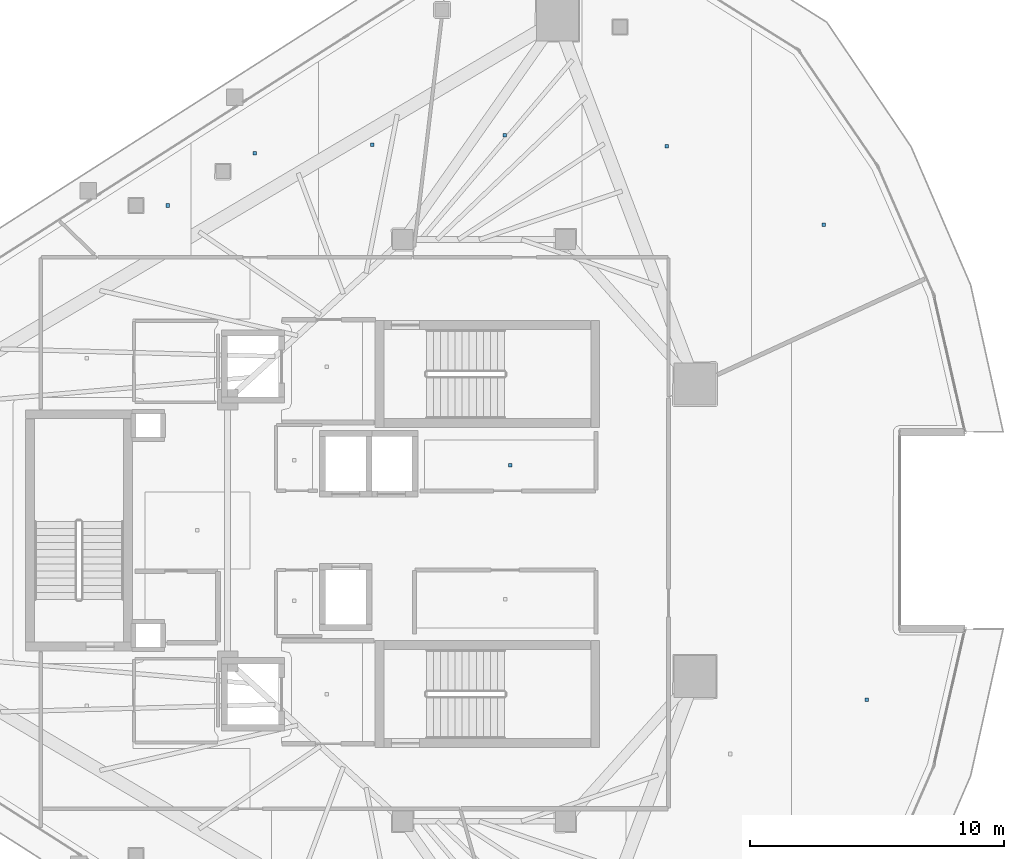
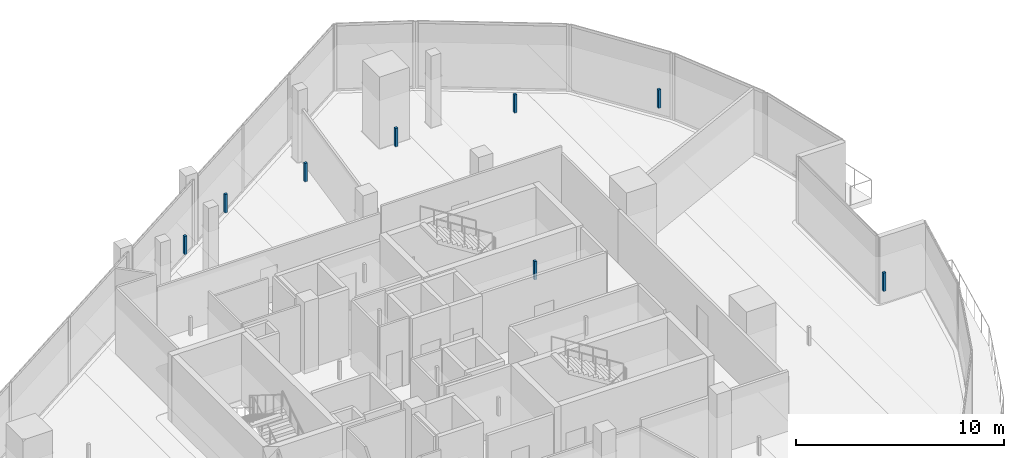
# One storey, part 25 of 31: 8 discrete accessories.
"""IFC4 building model written with IfcOpenShell, lengths in metres."""

from ifc_helpers import new_model, si_unit, direction, frame, origin, origin_2d, place, context, subcontext, project, spatial, rectangle, extrude, material, type_object, element, save


model = new_model("IFC4")

# Units and contexts
model_context = context("Model", 3, precision=1e-05, world=origin(), true_north=direction((0.0, 1.0)))
body_context = subcontext(model_context, "Body", "Model", "MODEL_VIEW")
ifc_project = project(units=[si_unit("LENGTHUNIT", "METRE"), si_unit("AREAUNIT", "SQUARE_METRE"), si_unit("VOLUMEUNIT", "CUBIC_METRE"), si_unit("PLANEANGLEUNIT", "RADIAN"), si_unit("MASSUNIT", "GRAM", prefix="KILO")], contexts=[model_context])

# Site, building, storey
site_placement = place(None, origin())
site = spatial("IfcSite", under=ifc_project, at=site_placement, CompositionType="ELEMENT")
building_placement = place(site_placement, origin())
building = spatial("IfcBuilding", under=site, at=building_placement, Name="Qorvath Tower", CompositionType="ELEMENT")
storey_placement = place(building_placement, frame((0.0, 0.0, 264.0)))
storey = spatial("IfcBuildingStorey", under=building, at=storey_placement, Name="L61", CompositionType="ELEMENT", Elevation=264.0)

# Discrete accessories
ifc_material = material(Name="Galvanised steel bracket", Category="steel")
discrete_accessory_type = type_object("IfcDiscreteAccessoryType", Name="DA-BRACKET", PredefinedType="BRACKET", material=ifc_material)
for number, where, z_axis, x_axis, name in (
    (1, (-19.37255859375, 2.5625, 2.85986328125), (0.0, 0.0, 1.0), (1.0, 0.0, 0.0), "Acoustic Ceiling Suspension Hanger T1-L61-003"),
    (2, (-5.33251953125, -6.658203125, 2.85986328125), (0.0, 0.0, 1.0), (1.0, 0.0, 0.0), "Acoustic Ceiling Suspension Hanger T1-L61-018"),
    (3, (-19.58203125, 15.554443359375, 2.85986328125), (0.0, 0.0, 1.0), (1.0, 0.0, 0.0), "Acoustic Ceiling Suspension Hanger T1-L61-019"),
    (4, (-13.21142578125, 15.13134765625, 2.85986328125), (0.0, 0.0, 1.0), (1.0, 0.0, 0.0), "Acoustic Ceiling Suspension Hanger T1-L61-020"),
    (5, (-7.031005859375, 12.028076171875, 2.85986328125), (0.0, 0.0, 1.0), (1.0, 0.0, 0.0), "Acoustic Ceiling Suspension Hanger T1-L61-021"),
    (6, (-32.86328125, 12.79248046875, 2.85986328125), (0.0, 0.0, 1.0), (1.0, 0.0, 0.0), "Acoustic Ceiling Suspension Hanger T1-L61-022"),
    (7, (-29.431396484375, 14.84814453125, 2.85986328125), (0.0, 0.0, 1.0), (1.0, 0.0, 0.0), "Acoustic Ceiling Suspension Hanger T1-L61-023"),
    (8, (-24.80419921875, 15.185546875, 2.85986328125), (0.0, 0.0, 1.0), (1.0, 0.0, 0.0), "Acoustic Ceiling Suspension Hanger T1-L61-024"),
):
    element("IfcDiscreteAccessory", number, at=place(storey_placement, frame(where, z_axis=z_axis, x_axis=x_axis)), inside=storey, type_object=discrete_accessory_type, Name=name, PredefinedType="NOTDEFINED", context=body_context, shape_type="SweptSolid", body=[
        extrude(rectangle(XDim=0.139892578125, YDim=0.139892578125, at=origin_2d()), origin(), (0.0, 0.0, 1.0), 1.079833984375),
    ])

save(model, "model.ifc")
